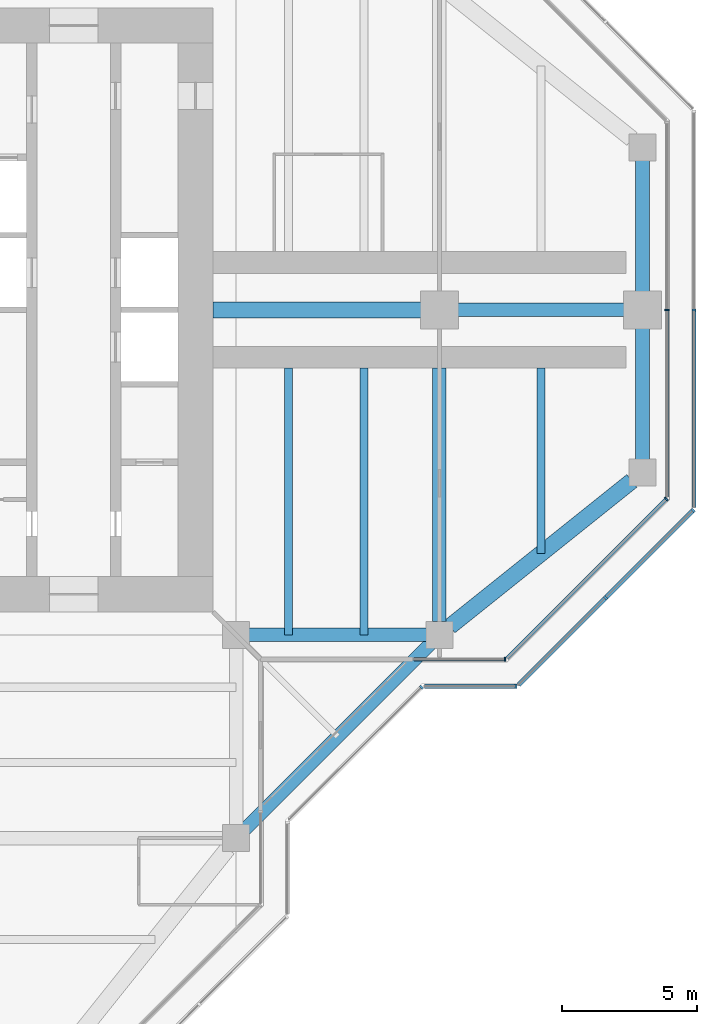
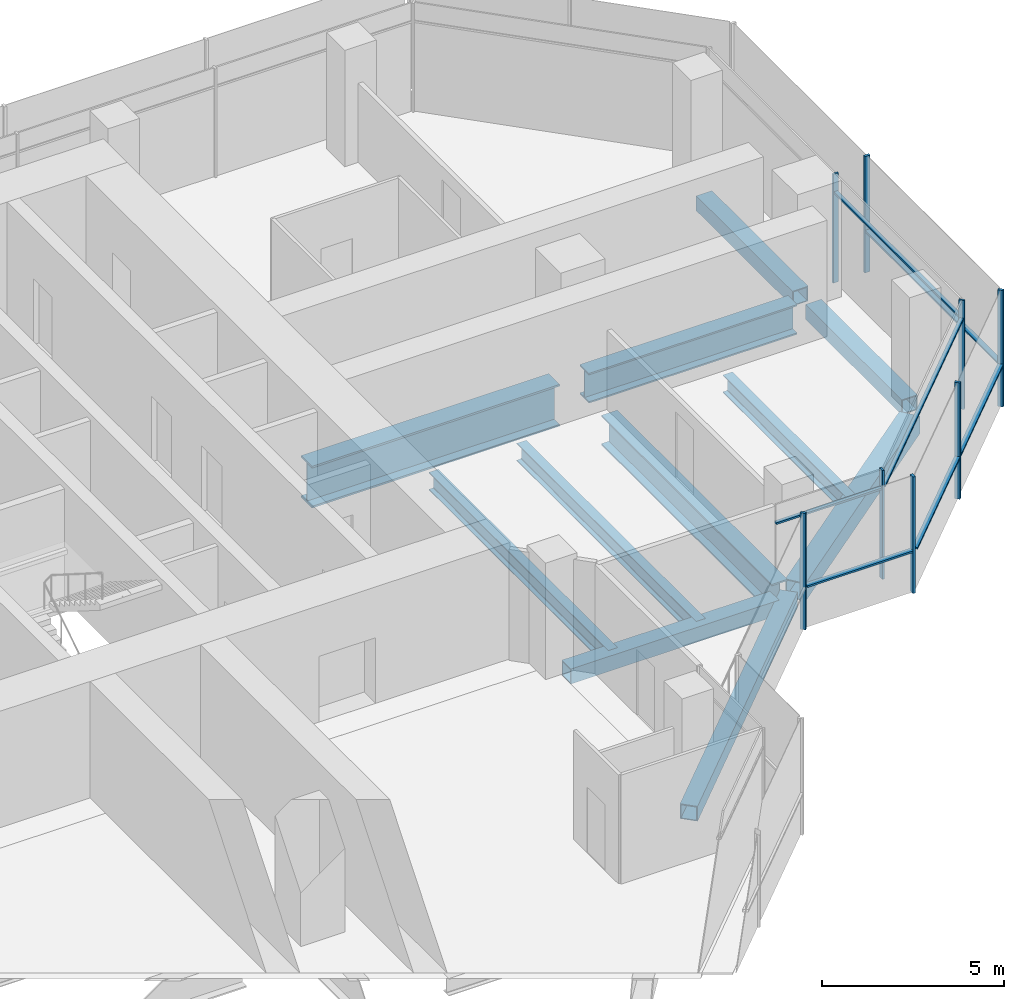
# One storey, part 5 of 15: 15 members, 11 beams, 7 elements without a shape of their own.
"""IFC4 building model written with IfcOpenShell, lengths in metres."""

from ifc_helpers import new_model, si_unit, direction, frame, origin, origin_2d, place, context, subcontext, project, spatial, rectangle, hollow_rectangle, i_section, extrude, material, material_profile, profile_set, type_object, element, aggregate, save


model = new_model("IFC4")

# Units and contexts
model_context = context("Model", 3, precision=1e-05, world=origin(), true_north=direction((0.0, 1.0)))
body_context = subcontext(model_context, "Body", "Model", "MODEL_VIEW")
ifc_project = project(units=[si_unit("LENGTHUNIT", "METRE"), si_unit("AREAUNIT", "SQUARE_METRE"), si_unit("VOLUMEUNIT", "CUBIC_METRE"), si_unit("PLANEANGLEUNIT", "RADIAN"), si_unit("MASSUNIT", "GRAM", prefix="KILO")], contexts=[model_context])

# Site, building, storey
site_placement = place(None, origin())
site = spatial("IfcSite", under=ifc_project, at=site_placement, CompositionType="ELEMENT")
building_placement = place(site_placement, origin())
building = spatial("IfcBuilding", under=site, at=building_placement, Name="Mizan Broadcast Tower", CompositionType="ELEMENT")
storey_placement = place(building_placement, frame((0.0, 0.0, 302.39990234375)))
storey = spatial("IfcBuildingStorey", under=building, at=storey_placement, Name="L72", CompositionType="ELEMENT", Elevation=302.39990234375)

# Beams
ifc_material_1 = material(Name="Steel S355", Category="steel")
ifc_material_profile_1 = material_profile(ifc_material_1, hollow_rectangle(XDim=0.5, YDim=0.5, WallThickness=0.030029296875, at=origin_2d()), Name="BOX 500x500x30")
ifc_profile_set_1 = profile_set([ifc_material_profile_1], Name="Steel S355")
beam_type_1 = type_object("IfcBeamType", Name="EDGE BEAM BOX 500x500x30", PredefinedType="SPANDREL", material=ifc_profile_set_1)
beam_1_placement = place(storey_placement, frame((12.449951171875, -12.0, -0.3798828125), z_axis=(1.0, 0.0, 0.0), x_axis=(0.0, 1.0, 0.0)))
element("IfcBeam", 1, at=beam_1_placement, inside=storey, type_object=beam_type_1, Name="Edge beam BOX 500x500x30 L72 east arm", PredefinedType="SPANDREL", context=body_context, shape_type="SweptSolid", body=[
    extrude(hollow_rectangle(XDim=0.5, YDim=0.5, WallThickness=0.030029296875, at=origin_2d()), origin(), (0.0, 0.0, 1.0), 6.60009765625),
])
for number, where, z_axis, x_axis, name in (
    (2, (27.0, -5.639892578125, -0.3798828125), (0.0, 1.0, 0.0), (-1.0, 0.0, 0.0), "Edge beam BOX 500x500x30 L72 east arm"),
    (3, (27.0, 5.639892578125, -0.3798828125), (0.0, -1.0, 0.0), (1.0, 0.0, 0.0), "Edge beam BOX 500x500x30 L72 east arm"),
):
    element("IfcBeam", number, at=place(storey_placement, frame(where, z_axis=z_axis, x_axis=x_axis)), inside=storey, type_object=beam_type_1, Name=name, PredefinedType="SPANDREL", context=body_context, shape_type="SweptSolid", body=[
        extrude(hollow_rectangle(XDim=0.5, YDim=0.5, WallThickness=0.030029296875, at=origin_2d()), origin(), (0.0, 0.0, 1.0), 5.27978515625),
    ])
beam_2_placement = place(storey_placement, frame((12.0, -19.5, -0.3798828125), z_axis=(0.707106781187, 0.707106781187, 0.0), x_axis=(-0.707106781187, 0.707106781187, 0.0)))
element("IfcBeam", 4, at=beam_2_placement, inside=storey, type_object=beam_type_1, Name="Winter garden edge beam L72 S", PredefinedType="SPANDREL", context=body_context, shape_type="SweptSolid", body=[
    extrude(hollow_rectangle(XDim=0.5, YDim=0.5, WallThickness=0.030029296875, at=origin_2d()), origin(), (0.0, 0.0, 1.0), 10.606689453125),
])
ifc_material_2 = material(Name="Steel S355", Category="steel")
ifc_material_profile_2 = material_profile(ifc_material_2, hollow_rectangle(XDim=0.60009765625, YDim=0.60009765625, WallThickness=0.030029296875, at=origin_2d()), Name="BOX 600x600x30")
ifc_profile_set_2 = profile_set([ifc_material_profile_2], Name="Steel S355")
beam_type_2 = type_object("IfcBeamType", Name="EDGE BEAM BOX 600x600x30", PredefinedType="SPANDREL", material=ifc_profile_set_2)
beam_3_placement = place(storey_placement, frame((19.890380859375, -11.687744140625, -0.429931640625), z_axis=(0.780863273348, 0.62470196761, 0.0), x_axis=(-0.62470196761, 0.780863273348, 0.0)))
element("IfcBeam", 5, at=beam_3_placement, inside=storey, type_object=beam_type_2, Name="Edge beam BOX 600x600x30 L72 east arm", PredefinedType="SPANDREL", context=body_context, shape_type="SweptSolid", body=[
    extrude(hollow_rectangle(XDim=0.60009765625, YDim=0.60009765625, WallThickness=0.030029296875, at=origin_2d()), origin(), (0.0, 0.0, 1.0), 8.60498046875),
])
ifc_material_3 = material(Name="Steel S460", Category="steel")
ifc_material_profile_3 = material_profile(ifc_material_3, i_section(OverallWidth=0.5, OverallDepth=1.0, WebThickness=0.02490234375, FlangeThickness=0.050048828125, at=origin_2d()), Name="WPG 1000x500")
ifc_profile_set_3 = profile_set([ifc_material_profile_3], Name="Steel S460")
beam_type_3 = type_object("IfcBeamType", Name="GIRDER WPG 1000x500", PredefinedType="BEAM", material=ifc_profile_set_3)
beam_4_placement = place(storey_placement, frame((19.949951171875, 0.0, -0.6298828125), z_axis=(1.0, 0.0, 0.0), x_axis=(0.0, 1.0, 0.0)))
element("IfcBeam", 6, at=beam_4_placement, inside=storey, type_object=beam_type_3, Name="Girder WPG 1000x500 L72 east arm", PredefinedType="BEAM", context=body_context, shape_type="SweptSolid", body=[
    extrude(i_section(OverallWidth=0.5, OverallDepth=1.0, WebThickness=0.02490234375, FlangeThickness=0.050048828125, at=origin_2d()), origin(), (0.0, 0.0, 1.0), 6.60009765625),
])
beam_5_placement = place(storey_placement, frame((19.5, -11.5, -0.6298828125), z_axis=(0.0, 1.0, 0.0), x_axis=(-1.0, 0.0, 0.0)))
element("IfcBeam", 7, at=beam_5_placement, inside=storey, type_object=beam_type_3, Name="Girder WPG 1000x500 L72 east arm", PredefinedType="BEAM", context=body_context, shape_type="SweptSolid", body=[
    extrude(i_section(OverallWidth=0.5, OverallDepth=1.0, WebThickness=0.02490234375, FlangeThickness=0.050048828125, at=origin_2d()), origin(), (0.0, 0.0, 1.0), 9.35009765625),
])
ifc_material_4 = material(Name="Steel S460", Category="steel")
ifc_material_profile_4 = material_profile(ifc_material_4, i_section(OverallWidth=0.60009765625, OverallDepth=1.39990234375, WebThickness=0.02490234375, FlangeThickness=0.06005859375, at=origin_2d()), Name="WPG 1400x600")
ifc_profile_set_4 = profile_set([ifc_material_profile_4], Name="Steel S460")
beam_type_4 = type_object("IfcBeamType", Name="GIRDER WPG 1400x600", PredefinedType="BEAM", material=ifc_profile_set_4)
beam_6_placement = place(storey_placement, frame((11.14990234375, 0.0, -0.829833984375), z_axis=(1.0, 0.0, 0.0), x_axis=(0.0, 1.0, 0.0)))
element("IfcBeam", 8, at=beam_6_placement, inside=storey, type_object=beam_type_4, Name="Girder WPG 1400x600 L72 east arm", PredefinedType="BEAM", context=body_context, shape_type="SweptSolid", body=[
    extrude(i_section(OverallWidth=0.60009765625, OverallDepth=1.39990234375, WebThickness=0.02490234375, FlangeThickness=0.06005859375, at=origin_2d()), origin(), (0.0, 0.0, 1.0), 7.84912109375),
])

# Curtain wall, member
ifc_material_5 = material(Name="Aluminium framed glazing", Category="aluminium")
curtain_wall_type_1 = type_object("IfcCurtainWallType", Name="INNER SKIN TOP ZONE", PredefinedType="USERDEFINED", material=ifc_material_5)
curtain_wall_1_placement = place(storey_placement, origin())
curtain_wall_1 = element("IfcCurtainWall", 9, at=curtain_wall_1_placement, inside=storey, type_object=curtain_wall_type_1, Name="Inner skin top zone L72 E side", ObjectType="INNER SKIN TOP ZONE", PredefinedType="USERDEFINED")
ifc_material_6 = material(Name="Aluminium, pale anodised", Category="aluminium")
ifc_material_profile_5 = material_profile(ifc_material_6, rectangle(XDim=0.159912109375, YDim=0.06005859375, at=origin_2d()), Name="MULLION 160x60")
ifc_profile_set_5 = profile_set([ifc_material_profile_5], Name="Aluminium, pale anodised")
member_type_1 = type_object("IfcMemberType", Name="INNER SKIN MULLION 60x160", PredefinedType="MULLION", material=ifc_profile_set_5)
member_1_placement = place(storey_placement, frame((21.928466796875, -12.89990234375, 0.0), z_axis=(0.0, 0.0, 1.0), x_axis=(0.0, 1.0, 0.0)))
member_1 = element("IfcMember", 10, at=member_1_placement, type_object=member_type_1, Name="Inner skin top zone L72 E side mullion 2", PredefinedType="MULLION", context=body_context, shape_type="SweptSolid", body=[
    extrude(rectangle(XDim=0.159912109375, YDim=0.06005859375, at=origin_2d()), origin(), (0.0, 0.0, 1.0), 3.650146484375),
])

curtain_wall_2_placement = place(storey_placement, origin())
curtain_wall_2 = element("IfcCurtainWall", 11, at=curtain_wall_2_placement, inside=storey, type_object=curtain_wall_type_1, Name="Inner skin top zone L72 E chamfer", ObjectType="INNER SKIN TOP ZONE", PredefinedType="USERDEFINED")
member_2_placement = place(storey_placement, frame((27.87890625, -6.979736328125, 0.0), z_axis=(0.0, 0.0, 1.0), x_axis=(-0.707106781187, 0.707106781187, 0.0)))
member_2 = element("IfcMember", 12, at=member_2_placement, type_object=member_type_1, Name="Inner skin top zone L72 E chamfer mullion 2", PredefinedType="MULLION", context=body_context, shape_type="SweptSolid", body=[
    extrude(rectangle(XDim=0.159912109375, YDim=0.06005859375, at=origin_2d()), origin(), (0.0, 0.0, 1.0), 3.650146484375),
])

curtain_wall_3_placement = place(storey_placement, origin())
curtain_wall_3 = element("IfcCurtainWall", 13, at=curtain_wall_3_placement, inside=storey, type_object=curtain_wall_type_1, Name="Inner skin top zone L72 E end", ObjectType="INNER SKIN TOP ZONE", PredefinedType="USERDEFINED")
member_3_placement = place(storey_placement, frame((27.89990234375, 0.0, 0.0), z_axis=(0.0, 0.0, 1.0), x_axis=(-1.0, 0.0, 0.0)))
member_3 = element("IfcMember", 14, at=member_3_placement, type_object=member_type_1, Name="Inner skin top zone L72 E end mullion 2", PredefinedType="MULLION", context=body_context, shape_type="SweptSolid", body=[
    extrude(rectangle(XDim=0.159912109375, YDim=0.06005859375, at=origin_2d()), origin(), (0.0, 0.0, 1.0), 3.650146484375),
])

# Member
ifc_material_7 = material(Name="Aluminium, pale anodised", Category="aluminium")
ifc_material_profile_6 = material_profile(ifc_material_7, rectangle(XDim=0.1201171875, YDim=0.06005859375, at=origin_2d()), Name="TRANSOM 120x60")
ifc_profile_set_6 = profile_set([ifc_material_profile_6], Name="Aluminium, pale anodised")
member_type_2 = type_object("IfcMemberType", Name="INNER SKIN TRANSOM 60x120", PredefinedType="USERDEFINED", material=ifc_profile_set_6)
member_4_placement = place(storey_placement, frame((18.56005859375, -12.89990234375, 3.030029296875), z_axis=(1.0, 0.0, 0.0), x_axis=(0.0, 1.0, 0.0)))
member_4 = element("IfcMember", 15, at=member_4_placement, type_object=member_type_2, Name="Inner skin top zone L72 E side transom 1.1", ObjectType="TRANSOM", PredefinedType="USERDEFINED", context=body_context, shape_type="SweptSolid", body=[
    extrude(rectangle(XDim=0.1201171875, YDim=0.06005859375, at=origin_2d()), origin(), (0.0, 0.0, 1.0), 3.338623046875),
])

aggregate(curtain_wall_1, [member_1, member_4])

member_5_placement = place(storey_placement, frame((22.0009765625, -12.857666015625, 3.030029296875), z_axis=(0.707106781187, 0.707106781187, 0.0), x_axis=(-0.707106781187, 0.707106781187, 0.0)))
member_5 = element("IfcMember", 16, at=member_5_placement, type_object=member_type_2, Name="Inner skin top zone L72 E chamfer transom 1.1", ObjectType="TRANSOM", PredefinedType="USERDEFINED", context=body_context, shape_type="SweptSolid", body=[
    extrude(rectangle(XDim=0.1201171875, YDim=0.06005859375, at=origin_2d()), origin(), (0.0, 0.0, 1.0), 8.28271484375),
])

aggregate(curtain_wall_2, [member_2, member_5])

member_6_placement = place(storey_placement, frame((27.89990234375, -6.898681640625, 3.030029296875), z_axis=(0.0, 1.0, 0.0), x_axis=(-1.0, 0.0, 0.0)))
member_6 = element("IfcMember", 17, at=member_6_placement, type_object=member_type_2, Name="Inner skin top zone L72 E end transom 1.1", ObjectType="TRANSOM", PredefinedType="USERDEFINED", context=body_context, shape_type="SweptSolid", body=[
    extrude(rectangle(XDim=0.1201171875, YDim=0.06005859375, at=origin_2d()), origin(), (0.0, 0.0, 1.0), 6.86865234375),
])

aggregate(curtain_wall_3, [member_3, member_6])

# Curtain wall, member
ifc_material_8 = material(Name="Aluminium framed glazing", Category="aluminium")
curtain_wall_type_2 = type_object("IfcCurtainWallType", Name="OUTER SKIN", PredefinedType="USERDEFINED", material=ifc_material_8)
curtain_wall_4_placement = place(storey_placement, origin())
curtain_wall_4 = element("IfcCurtainWall", 18, at=curtain_wall_4_placement, inside=storey, type_object=curtain_wall_type_2, Name="Outer skin L72 E chamfer", ObjectType="OUTER SKIN", PredefinedType="USERDEFINED")
ifc_material_9 = material(Name="Aluminium, pale anodised", Category="aluminium")
ifc_material_profile_7 = material_profile(ifc_material_9, rectangle(XDim=0.159912109375, YDim=0.080078125, at=origin_2d()), Name="MULLION 160x80")
ifc_profile_set_7 = profile_set([ifc_material_profile_7], Name="Aluminium, pale anodised")
member_type_3 = type_object("IfcMemberType", Name="OUTER SKIN MULLION 80x160", PredefinedType="MULLION", material=ifc_profile_set_7)
member_7_placement = place(storey_placement, frame((18.844482421875, -13.92822265625, 0.0), z_axis=(0.0, 0.0, 1.0), x_axis=(-0.707106781187, 0.707106781187, 0.0)))
member_7 = element("IfcMember", 19, at=member_7_placement, type_object=member_type_3, Name="Outer skin L72 E chamfer mullion 2", PredefinedType="MULLION", context=body_context, shape_type="SweptSolid", body=[
    extrude(rectangle(XDim=0.159912109375, YDim=0.080078125, at=origin_2d()), origin(), (0.0, 0.0, 1.0), 3.900146484375),
])
aggregate(curtain_wall_4, [member_7])

curtain_wall_5_placement = place(storey_placement, origin())
curtain_wall_5 = element("IfcCurtainWall", 20, at=curtain_wall_5_placement, inside=storey, type_object=curtain_wall_type_2, Name="Outer skin L72 E side", ObjectType="OUTER SKIN", PredefinedType="USERDEFINED")
member_8_placement = place(storey_placement, frame((22.332763671875, -13.89990234375, 0.0), z_axis=(0.0, 0.0, 1.0), x_axis=(0.0, 1.0, 0.0)))
member_8 = element("IfcMember", 21, at=member_8_placement, type_object=member_type_3, Name="Outer skin L72 E side mullion 2", PredefinedType="MULLION", context=body_context, shape_type="SweptSolid", body=[
    extrude(rectangle(XDim=0.159912109375, YDim=0.080078125, at=origin_2d()), origin(), (0.0, 0.0, 1.0), 3.900146484375),
])

# Curtain wall, members
curtain_wall_6_placement = place(storey_placement, origin())
curtain_wall_6 = element("IfcCurtainWall", 22, at=curtain_wall_6_placement, inside=storey, type_object=curtain_wall_type_2, Name="Outer skin L72 E chamfer", ObjectType="OUTER SKIN", PredefinedType="USERDEFINED")
member_9_placement = place(storey_placement, frame((25.636474609375, -10.636474609375, 0.0), z_axis=(0.0, 0.0, 1.0), x_axis=(-0.707106781187, 0.707106781187, 0.0)))
member_9 = element("IfcMember", 23, at=member_9_placement, type_object=member_type_3, Name="Outer skin L72 E chamfer mullion 2", PredefinedType="MULLION", context=body_context, shape_type="SweptSolid", body=[
    extrude(rectangle(XDim=0.159912109375, YDim=0.080078125, at=origin_2d()), origin(), (0.0, 0.0, 1.0), 3.900146484375),
])
member_10_placement = place(storey_placement, frame((28.871826171875, -7.401123046875, 0.0), z_axis=(0.0, 0.0, 1.0), x_axis=(-0.707106781187, 0.707106781187, 0.0)))
member_10 = element("IfcMember", 24, at=member_10_placement, type_object=member_type_3, Name="Outer skin L72 E chamfer mullion 3", PredefinedType="MULLION", context=body_context, shape_type="SweptSolid", body=[
    extrude(rectangle(XDim=0.159912109375, YDim=0.080078125, at=origin_2d()), origin(), (0.0, 0.0, 1.0), 3.900146484375),
])

# Curtain wall, member
curtain_wall_7_placement = place(storey_placement, origin())
curtain_wall_7 = element("IfcCurtainWall", 25, at=curtain_wall_7_placement, inside=storey, type_object=curtain_wall_type_2, Name="Outer skin L72 E end", ObjectType="OUTER SKIN", PredefinedType="USERDEFINED")
member_11_placement = place(storey_placement, frame((28.89990234375, 0.0, 0.0), z_axis=(0.0, 0.0, 1.0), x_axis=(-1.0, 0.0, 0.0)))
member_11 = element("IfcMember", 26, at=member_11_placement, type_object=member_type_3, Name="Outer skin L72 E end mullion 2", PredefinedType="MULLION", context=body_context, shape_type="SweptSolid", body=[
    extrude(rectangle(XDim=0.159912109375, YDim=0.080078125, at=origin_2d()), origin(), (0.0, 0.0, 1.0), 3.900146484375),
])

# Member
ifc_material_10 = material(Name="Aluminium, pale anodised", Category="aluminium")
ifc_material_profile_8 = material_profile(ifc_material_10, rectangle(XDim=0.159912109375, YDim=0.06005859375, at=origin_2d()), Name="TRANSOM 160x60")
ifc_profile_set_8 = profile_set([ifc_material_profile_8], Name="Aluminium, pale anodised")
member_type_4 = type_object("IfcMemberType", Name="OUTER SKIN TRANSOM 60x160", PredefinedType="USERDEFINED", material=ifc_profile_set_8)
member_12_placement = place(storey_placement, frame((18.952880859375, -13.89990234375, 1.400146484375), z_axis=(1.0, 0.0, 0.0), x_axis=(0.0, 1.0, 0.0)))
member_12 = element("IfcMember", 27, at=member_12_placement, type_object=member_type_4, Name="Outer skin L72 E side transom 1.1", ObjectType="TRANSOM", PredefinedType="USERDEFINED", context=body_context, shape_type="SweptSolid", body=[
    extrude(rectangle(XDim=0.159912109375, YDim=0.06005859375, at=origin_2d()), origin(), (0.0, 0.0, 1.0), 3.33984375),
])

aggregate(curtain_wall_5, [member_8, member_12])

member_13_placement = place(storey_placement, frame((22.429443359375, -13.843505859375, 1.400146484375), z_axis=(0.707106781187, 0.707106781187, 0.0), x_axis=(-0.707106781187, 0.707106781187, 0.0)))
member_13 = element("IfcMember", 28, at=member_13_placement, type_object=member_type_4, Name="Outer skin L72 E chamfer transom 1.1", ObjectType="TRANSOM", PredefinedType="USERDEFINED", context=body_context, shape_type="SweptSolid", body=[
    extrude(rectangle(XDim=0.159912109375, YDim=0.06005859375, at=origin_2d()), origin(), (0.0, 0.0, 1.0), 4.495361328125),
])

member_14_placement = place(storey_placement, frame((25.664794921875, -10.608154296875, 1.400146484375), z_axis=(0.707106781187, 0.707106781187, 0.0), x_axis=(-0.707106781187, 0.707106781187, 0.0)))
member_14 = element("IfcMember", 29, at=member_14_placement, type_object=member_type_4, Name="Outer skin L72 E chamfer transom 2.1", ObjectType="TRANSOM", PredefinedType="USERDEFINED", context=body_context, shape_type="SweptSolid", body=[
    extrude(rectangle(XDim=0.159912109375, YDim=0.06005859375, at=origin_2d()), origin(), (0.0, 0.0, 1.0), 4.495361328125),
])

aggregate(curtain_wall_6, [member_9, member_10, member_13, member_14])

member_15_placement = place(storey_placement, frame((28.89990234375, -7.292724609375, 1.400146484375), z_axis=(0.0, 1.0, 0.0), x_axis=(-1.0, 0.0, 0.0)))
member_15 = element("IfcMember", 30, at=member_15_placement, type_object=member_type_4, Name="Outer skin L72 E end transom 1.1", ObjectType="TRANSOM", PredefinedType="USERDEFINED", context=body_context, shape_type="SweptSolid", body=[
    extrude(rectangle(XDim=0.159912109375, YDim=0.06005859375, at=origin_2d()), origin(), (0.0, 0.0, 1.0), 7.252685546875),
])

aggregate(curtain_wall_7, [member_11, member_15])

# Beams
ifc_material_11 = material(Name="Steel S355", Category="steel")
ifc_material_profile_9 = material_profile(ifc_material_11, i_section(OverallWidth=0.300048828125, OverallDepth=0.590087890625, WebThickness=0.012939453125, FlangeThickness=0.02490234375, FilletRadius=0.027099609375, at=origin_2d()), Name="HEA 600")
ifc_profile_set_9 = profile_set([ifc_material_profile_9], Name="Steel S355")
beam_type_5 = type_object("IfcBeamType", Name="SECONDARY BEAM HEA 600", PredefinedType="JOIST", material=ifc_profile_set_9)
for number, where, z_axis, x_axis, name in (
    (31, (13.933349609375, -12.0, -0.4248046875), (0.0, 1.0, 0.0), (-1.0, 0.0, 0.0), "Secondary beam HEA 600 L72 east arm"),
    (32, (16.716552734375, -12.0, -0.4248046875), (0.0, 1.0, 0.0), (-1.0, 0.0, 0.0), "Secondary beam HEA 600 L72 east arm"),
):
    element("IfcBeam", number, at=place(storey_placement, frame(where, z_axis=z_axis, x_axis=x_axis)), inside=storey, type_object=beam_type_5, Name=name, PredefinedType="JOIST", context=body_context, shape_type="SweptSolid", body=[
        extrude(i_section(OverallWidth=0.300048828125, OverallDepth=0.590087890625, WebThickness=0.012939453125, FlangeThickness=0.02490234375, FilletRadius=0.027099609375, at=origin_2d()), origin(), (0.0, 0.0, 1.0), 9.85009765625),
    ])
beam_7_placement = place(storey_placement, frame((23.25, -9.0, -0.4248046875), z_axis=(0.0, 1.0, 0.0), x_axis=(-1.0, 0.0, 0.0)))
element("IfcBeam", 33, at=beam_7_placement, inside=storey, type_object=beam_type_5, Name="Secondary beam HEA 600 L72 east arm", PredefinedType="JOIST", context=body_context, shape_type="SweptSolid", body=[
    extrude(i_section(OverallWidth=0.300048828125, OverallDepth=0.590087890625, WebThickness=0.012939453125, FlangeThickness=0.02490234375, FilletRadius=0.027099609375, at=origin_2d()), origin(), (0.0, 0.0, 1.0), 6.85009765625),
])

save(model, "model.ifc")
